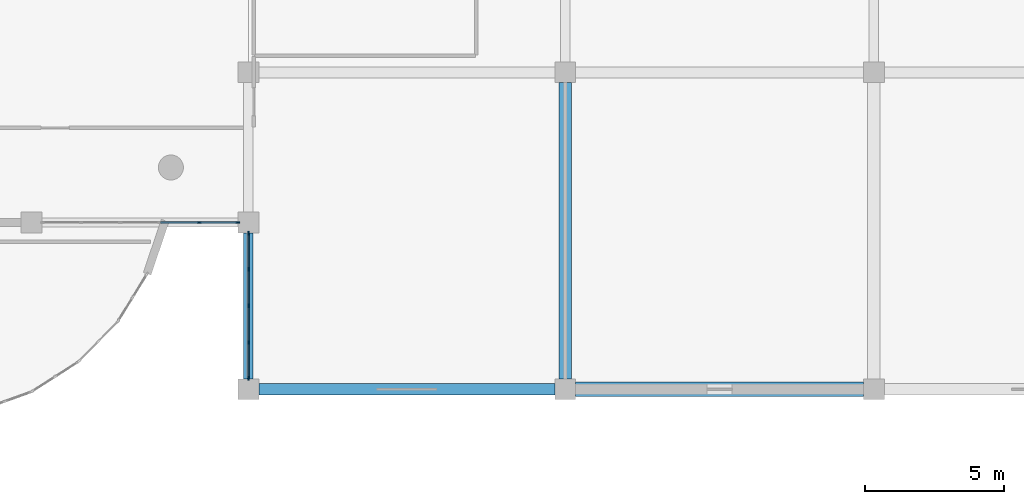
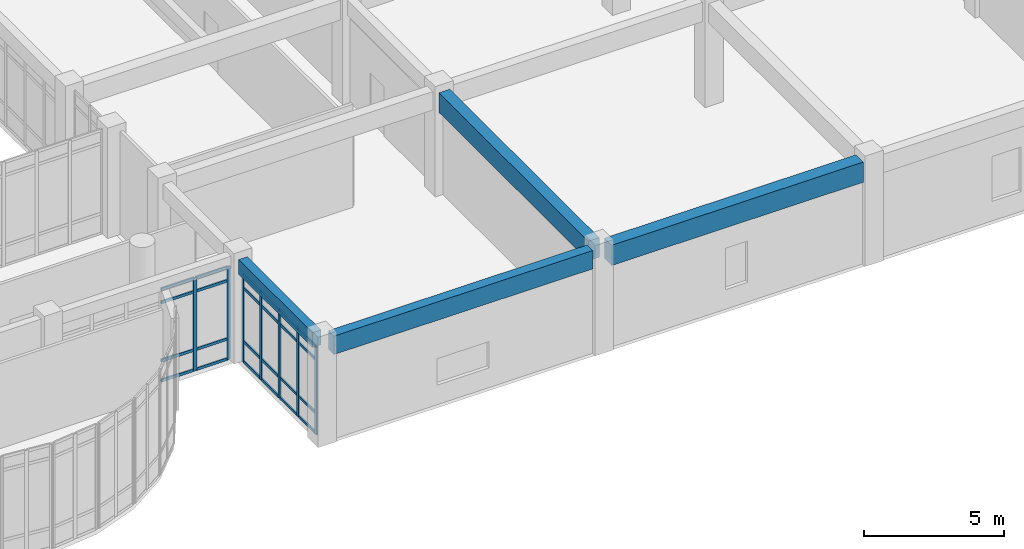
# One storey, part 24 of 68: 31 members, 4 beams, 2 elements without a shape of their own.
"""IFC4 building model written with IfcOpenShell, lengths in metres."""

from ifc_helpers import new_model, si_unit, direction, frame, origin, origin_2d, place, context, subcontext, project, spatial, rectangle, extrude, material, layer, layer_set, material_profile, profile_set, type_object, element, aggregate, save


model = new_model("IFC4")

# Units and contexts
model_context = context("Model", 3, precision=1e-05, world=origin(), true_north=direction((0.0, 1.0)))
body_context = subcontext(model_context, "Body", "Model", "MODEL_VIEW")
ifc_project = project(units=[si_unit("LENGTHUNIT", "METRE"), si_unit("AREAUNIT", "SQUARE_METRE"), si_unit("VOLUMEUNIT", "CUBIC_METRE"), si_unit("PLANEANGLEUNIT", "RADIAN"), si_unit("MASSUNIT", "GRAM", prefix="KILO")], contexts=[model_context])

# Site, building, storey
site_placement = place(None, origin())
site = spatial("IfcSite", under=ifc_project, at=site_placement, CompositionType="ELEMENT")
building_placement = place(site_placement, origin())
building = spatial("IfcBuilding", under=site, at=building_placement, Name="Miralva Faculty of Natural Sciences", CompositionType="ELEMENT")
storey_placement = place(building_placement, frame((0.0, 0.0, 5.39990234375)))
storey = spatial("IfcBuildingStorey", under=building, at=storey_placement, Name="L01", CompositionType="ELEMENT", Elevation=5.39990234375)

# Beams
ifc_material_1 = material(Name="Concrete C40/50", Category="concrete")
ifc_material_profile_1 = material_profile(ifc_material_1, rectangle(XDim=0.449951171875, YDim=0.85009765625, at=origin_2d()), Name="RC 450x850")
ifc_profile_set_1 = profile_set([ifc_material_profile_1], Name="Concrete C40/50")
beam_type_1 = type_object("IfcBeamType", Name="BM-B01", PredefinedType="BEAM", material=ifc_profile_set_1)
beam_1_placement = place(storey_placement, frame((145.199951171875, 12.375, 4.05517578125), z_axis=(0.0, 1.0, 0.0), x_axis=(-1.0, 0.0, 0.0)))
element("IfcBeam", 1, at=beam_1_placement, inside=storey, type_object=beam_type_1, Name="Girder NS L01-167", PredefinedType="BEAM", context=body_context, shape_type="SweptSolid", body=[
    extrude(rectangle(XDim=0.449951171875, YDim=0.85009765625, at=origin_2d()), origin(), (0.0, 0.0, 1.0), 10.64990234375),
])
ifc_material_profile_2 = material_profile(ifc_material_1, rectangle(XDim=0.39990234375, YDim=0.800048828125, at=origin_2d()), Name="RC 400x800")
ifc_profile_set_2 = profile_set([ifc_material_profile_2], Name="Concrete C40/50")
beam_type_2 = type_object("IfcBeamType", Name="BM-B02", PredefinedType="BEAM", material=ifc_profile_set_2)
beam_2_placement = place(storey_placement, frame((134.175048828125, 12.0, 4.080078125), z_axis=(1.0, 0.0, 0.0), x_axis=(0.0, 1.0, 0.0)))
element("IfcBeam", 2, at=beam_2_placement, inside=storey, type_object=beam_type_2, Name="Girder EW L01-16", PredefinedType="BEAM", context=body_context, shape_type="SweptSolid", body=[
    extrude(rectangle(XDim=0.39990234375, YDim=0.800048828125, at=origin_2d()), origin(), (0.0, 0.0, 1.0), 10.64990234375),
])
ifc_material_profile_3 = material_profile(ifc_material_1, rectangle(XDim=0.35009765625, YDim=0.64990234375, at=origin_2d()), Name="RC 350x650")
ifc_profile_set_3 = profile_set([ifc_material_profile_3], Name="Concrete C40/50")
beam_type_3 = type_object("IfcBeamType", Name="BM-B05", PredefinedType="BEAM", material=ifc_profile_set_3)
beam_3_placement = place(storey_placement, frame((133.800048828125, 12.375, 4.155029296875), z_axis=(0.0, 1.0, 0.0), x_axis=(-1.0, 0.0, 0.0)))
element("IfcBeam", 3, at=beam_3_placement, inside=storey, type_object=beam_type_3, Name="Girder NS L01-160", PredefinedType="BEAM", context=body_context, shape_type="SweptSolid", body=[
    extrude(rectangle(XDim=0.35009765625, YDim=0.64990234375, at=origin_2d()), origin(), (0.0, 0.0, 1.0), 5.25),
])
ifc_material_profile_4 = material_profile(ifc_material_1, rectangle(XDim=0.52001953125, YDim=0.8798828125, at=origin_2d()), Name="RC 520x880")
ifc_profile_set_4 = profile_set([ifc_material_profile_4], Name="Concrete C40/50")
beam_type_4 = type_object("IfcBeamType", Name="BM-BG19", PredefinedType="BEAM", material=ifc_profile_set_4)
beam_4_placement = place(storey_placement, frame((145.574951171875, 12.0, 4.0400390625), z_axis=(1.0, 0.0, 0.0), x_axis=(0.0, 1.0, 0.0)))
element("IfcBeam", 4, at=beam_4_placement, inside=storey, type_object=beam_type_4, Name="Girder EW L01-17", PredefinedType="BEAM", context=body_context, shape_type="SweptSolid", body=[
    extrude(rectangle(XDim=0.52001953125, YDim=0.8798828125, at=origin_2d()), origin(), (0.0, 0.0, 1.0), 10.35009765625),
])

# Curtain wall, members
ifc_material_2 = material(Name="Laminated solar-control glass", Category="glass")
ifc_layer = layer(ifc_material_2, 0.179931640625, Name="CW-COM-L01")
ifc_layer_set = layer_set([ifc_layer], Name="Laminated solar-control glass")
curtain_wall_type = type_object("IfcCurtainWallType", Name="CW-COM-L01", PredefinedType="USERDEFINED", material=ifc_layer_set)
curtain_wall_1_placement = place(storey_placement, origin())
curtain_wall_1 = element("IfcCurtainWall", 5, at=curtain_wall_1_placement, inside=storey, type_object=curtain_wall_type, Name="Curtain wall CW-10 L01-261", ObjectType="UNITISED CURTAIN WALL", PredefinedType="USERDEFINED")
ifc_material_3 = material(Name="Anodised aluminium", Category="aluminium")
ifc_material_profile_5 = material_profile(ifc_material_3, rectangle(XDim=0.06005859375, YDim=0.139892578125, at=origin_2d()), Name="MULLION 60x140")
ifc_profile_set_5 = profile_set([ifc_material_profile_5], Name="Anodised aluminium")
member_type_1 = type_object("IfcMemberType", Name="CW-M03", PredefinedType="MULLION", material=ifc_profile_set_5)
member_1_placement = place(storey_placement, frame((133.800048828125, 12.39501953125, 0.0), z_axis=(0.0, 0.0, 1.0), x_axis=(-1.0, 0.0, 0.0)))
member_1 = element("IfcMember", 6, at=member_1_placement, type_object=member_type_1, Name="CW-10 mullion 1", PredefinedType="MULLION", context=body_context, shape_type="SweptSolid", body=[
    extrude(rectangle(XDim=0.06005859375, YDim=0.139892578125, at=origin_2d()), origin(), (0.0, 0.0, 1.0), 3.8251953125),
])
member_2_placement = place(storey_placement, frame((133.800048828125, 13.6826171875, 0.0), z_axis=(0.0, 0.0, 1.0), x_axis=(-1.0, 0.0, 0.0)))
member_2 = element("IfcMember", 7, at=member_2_placement, type_object=member_type_1, Name="CW-10 mullion 2", PredefinedType="MULLION", context=body_context, shape_type="SweptSolid", body=[
    extrude(rectangle(XDim=0.06005859375, YDim=0.139892578125, at=origin_2d()), origin(), (0.0, 0.0, 1.0), 3.8251953125),
])
member_3_placement = place(storey_placement, frame((133.800048828125, 15.0, 0.0), z_axis=(0.0, 0.0, 1.0), x_axis=(-1.0, 0.0, 0.0)))
member_3 = element("IfcMember", 8, at=member_3_placement, type_object=member_type_1, Name="CW-10 mullion 3", PredefinedType="MULLION", context=body_context, shape_type="SweptSolid", body=[
    extrude(rectangle(XDim=0.06005859375, YDim=0.139892578125, at=origin_2d()), origin(), (0.0, 0.0, 1.0), 3.8251953125),
])
member_4_placement = place(storey_placement, frame((133.800048828125, 16.3173828125, 0.0), z_axis=(0.0, 0.0, 1.0), x_axis=(-1.0, 0.0, 0.0)))
member_4 = element("IfcMember", 9, at=member_4_placement, type_object=member_type_1, Name="CW-10 mullion 4", PredefinedType="MULLION", context=body_context, shape_type="SweptSolid", body=[
    extrude(rectangle(XDim=0.06005859375, YDim=0.139892578125, at=origin_2d()), origin(), (0.0, 0.0, 1.0), 3.8251953125),
])
member_5_placement = place(storey_placement, frame((133.800048828125, 17.60498046875, 0.0), z_axis=(0.0, 0.0, 1.0), x_axis=(-1.0, 0.0, 0.0)))
member_5 = element("IfcMember", 10, at=member_5_placement, type_object=member_type_1, Name="CW-10 mullion 5", PredefinedType="MULLION", context=body_context, shape_type="SweptSolid", body=[
    extrude(rectangle(XDim=0.06005859375, YDim=0.139892578125, at=origin_2d()), origin(), (0.0, 0.0, 1.0), 3.8251953125),
])

curtain_wall_2_placement = place(storey_placement, origin())
curtain_wall_2 = element("IfcCurtainWall", 11, at=curtain_wall_2_placement, inside=storey, type_object=curtain_wall_type, Name="Curtain wall CW-10 L01-290", ObjectType="UNITISED CURTAIN WALL", PredefinedType="USERDEFINED")
member_6_placement = place(storey_placement, frame((132.029052734375, 18.0, 0.0), z_axis=(0.0, 0.0, 1.0), x_axis=(0.0, 1.0, 0.0)))
member_6 = element("IfcMember", 12, at=member_6_placement, type_object=member_type_1, Name="CW-10 mullion 5", PredefinedType="MULLION", context=body_context, shape_type="SweptSolid", body=[
    extrude(rectangle(XDim=0.06005859375, YDim=0.139892578125, at=origin_2d()), origin(), (0.0, 0.0, 1.0), 4.03515625),
])
member_7_placement = place(storey_placement, frame((133.4150390625, 18.0, 0.0), z_axis=(0.0, 0.0, 1.0), x_axis=(0.0, 1.0, 0.0)))
member_7 = element("IfcMember", 13, at=member_7_placement, type_object=member_type_1, Name="CW-10 mullion 6", PredefinedType="MULLION", context=body_context, shape_type="SweptSolid", body=[
    extrude(rectangle(XDim=0.06005859375, YDim=0.139892578125, at=origin_2d()), origin(), (0.0, 0.0, 1.0), 4.03515625),
])

# Member
ifc_material_profile_6 = material_profile(ifc_material_3, rectangle(XDim=0.06005859375, YDim=0.1201171875, at=origin_2d()), Name="TRANSOM 60x120")
ifc_profile_set_6 = profile_set([ifc_material_profile_6], Name="Anodised aluminium")
member_type_2 = type_object("IfcMemberType", Name="CW-T02", PredefinedType="USERDEFINED", material=ifc_profile_set_6)
member_8_placement = place(storey_placement, frame((133.800048828125, 12.425048828125, 0.030029296875), z_axis=(0.0, 1.0, 0.0), x_axis=(-1.0, 0.0, 0.0)))
member_8 = element("IfcMember", 14, at=member_8_placement, type_object=member_type_2, Name="CW-10 transom 1.1", ObjectType="TRANSOM", PredefinedType="USERDEFINED", context=body_context, shape_type="SweptSolid", body=[
    extrude(rectangle(XDim=0.06005859375, YDim=0.1201171875, at=origin_2d()), origin(), (0.0, 0.0, 1.0), 1.2275390625),
])

member_9_placement = place(storey_placement, frame((133.800048828125, 12.425048828125, 0.900146484375), z_axis=(0.0, 1.0, 0.0), x_axis=(-1.0, 0.0, 0.0)))
member_9 = element("IfcMember", 15, at=member_9_placement, type_object=member_type_2, Name="CW-10 transom 1.2", ObjectType="TRANSOM", PredefinedType="USERDEFINED", context=body_context, shape_type="SweptSolid", body=[
    extrude(rectangle(XDim=0.06005859375, YDim=0.1201171875, at=origin_2d()), origin(), (0.0, 0.0, 1.0), 1.2275390625),
])

member_10_placement = place(storey_placement, frame((133.800048828125, 12.425048828125, 3.22509765625), z_axis=(0.0, 1.0, 0.0), x_axis=(-1.0, 0.0, 0.0)))
member_10 = element("IfcMember", 16, at=member_10_placement, type_object=member_type_2, Name="CW-10 transom 1.3", ObjectType="TRANSOM", PredefinedType="USERDEFINED", context=body_context, shape_type="SweptSolid", body=[
    extrude(rectangle(XDim=0.06005859375, YDim=0.1201171875, at=origin_2d()), origin(), (0.0, 0.0, 1.0), 1.2275390625),
])

member_11_placement = place(storey_placement, frame((133.800048828125, 12.425048828125, 3.795166015625), z_axis=(0.0, 1.0, 0.0), x_axis=(-1.0, 0.0, 0.0)))
member_11 = element("IfcMember", 17, at=member_11_placement, type_object=member_type_2, Name="CW-10 transom 1.4", ObjectType="TRANSOM", PredefinedType="USERDEFINED", context=body_context, shape_type="SweptSolid", body=[
    extrude(rectangle(XDim=0.06005859375, YDim=0.1201171875, at=origin_2d()), origin(), (0.0, 0.0, 1.0), 1.2275390625),
])

member_12_placement = place(storey_placement, frame((133.800048828125, 13.71240234375, 0.030029296875), z_axis=(0.0, 1.0, 0.0), x_axis=(-1.0, 0.0, 0.0)))
member_12 = element("IfcMember", 18, at=member_12_placement, type_object=member_type_2, Name="CW-10 transom 2.1", ObjectType="TRANSOM", PredefinedType="USERDEFINED", context=body_context, shape_type="SweptSolid", body=[
    extrude(rectangle(XDim=0.06005859375, YDim=0.1201171875, at=origin_2d()), origin(), (0.0, 0.0, 1.0), 1.257568359375),
])

member_13_placement = place(storey_placement, frame((133.800048828125, 13.71240234375, 0.900146484375), z_axis=(0.0, 1.0, 0.0), x_axis=(-1.0, 0.0, 0.0)))
member_13 = element("IfcMember", 19, at=member_13_placement, type_object=member_type_2, Name="CW-10 transom 2.2", ObjectType="TRANSOM", PredefinedType="USERDEFINED", context=body_context, shape_type="SweptSolid", body=[
    extrude(rectangle(XDim=0.06005859375, YDim=0.1201171875, at=origin_2d()), origin(), (0.0, 0.0, 1.0), 1.257568359375),
])

member_14_placement = place(storey_placement, frame((133.800048828125, 13.71240234375, 3.22509765625), z_axis=(0.0, 1.0, 0.0), x_axis=(-1.0, 0.0, 0.0)))
member_14 = element("IfcMember", 20, at=member_14_placement, type_object=member_type_2, Name="CW-10 transom 2.3", ObjectType="TRANSOM", PredefinedType="USERDEFINED", context=body_context, shape_type="SweptSolid", body=[
    extrude(rectangle(XDim=0.06005859375, YDim=0.1201171875, at=origin_2d()), origin(), (0.0, 0.0, 1.0), 1.257568359375),
])

member_15_placement = place(storey_placement, frame((133.800048828125, 13.71240234375, 3.795166015625), z_axis=(0.0, 1.0, 0.0), x_axis=(-1.0, 0.0, 0.0)))
member_15 = element("IfcMember", 21, at=member_15_placement, type_object=member_type_2, Name="CW-10 transom 2.4", ObjectType="TRANSOM", PredefinedType="USERDEFINED", context=body_context, shape_type="SweptSolid", body=[
    extrude(rectangle(XDim=0.06005859375, YDim=0.1201171875, at=origin_2d()), origin(), (0.0, 0.0, 1.0), 1.257568359375),
])

member_16_placement = place(storey_placement, frame((133.800048828125, 15.030029296875, 0.030029296875), z_axis=(0.0, 1.0, 0.0), x_axis=(-1.0, 0.0, 0.0)))
member_16 = element("IfcMember", 22, at=member_16_placement, type_object=member_type_2, Name="CW-10 transom 3.1", ObjectType="TRANSOM", PredefinedType="USERDEFINED", context=body_context, shape_type="SweptSolid", body=[
    extrude(rectangle(XDim=0.06005859375, YDim=0.1201171875, at=origin_2d()), origin(), (0.0, 0.0, 1.0), 1.257568359375),
])

member_17_placement = place(storey_placement, frame((133.800048828125, 15.030029296875, 0.900146484375), z_axis=(0.0, 1.0, 0.0), x_axis=(-1.0, 0.0, 0.0)))
member_17 = element("IfcMember", 23, at=member_17_placement, type_object=member_type_2, Name="CW-10 transom 3.2", ObjectType="TRANSOM", PredefinedType="USERDEFINED", context=body_context, shape_type="SweptSolid", body=[
    extrude(rectangle(XDim=0.06005859375, YDim=0.1201171875, at=origin_2d()), origin(), (0.0, 0.0, 1.0), 1.257568359375),
])

member_18_placement = place(storey_placement, frame((133.800048828125, 15.030029296875, 3.22509765625), z_axis=(0.0, 1.0, 0.0), x_axis=(-1.0, 0.0, 0.0)))
member_18 = element("IfcMember", 24, at=member_18_placement, type_object=member_type_2, Name="CW-10 transom 3.3", ObjectType="TRANSOM", PredefinedType="USERDEFINED", context=body_context, shape_type="SweptSolid", body=[
    extrude(rectangle(XDim=0.06005859375, YDim=0.1201171875, at=origin_2d()), origin(), (0.0, 0.0, 1.0), 1.257568359375),
])

member_19_placement = place(storey_placement, frame((133.800048828125, 15.030029296875, 3.795166015625), z_axis=(0.0, 1.0, 0.0), x_axis=(-1.0, 0.0, 0.0)))
member_19 = element("IfcMember", 25, at=member_19_placement, type_object=member_type_2, Name="CW-10 transom 3.4", ObjectType="TRANSOM", PredefinedType="USERDEFINED", context=body_context, shape_type="SweptSolid", body=[
    extrude(rectangle(XDim=0.06005859375, YDim=0.1201171875, at=origin_2d()), origin(), (0.0, 0.0, 1.0), 1.257568359375),
])

member_20_placement = place(storey_placement, frame((133.800048828125, 16.347412109375, 0.030029296875), z_axis=(0.0, 1.0, 0.0), x_axis=(-1.0, 0.0, 0.0)))
member_20 = element("IfcMember", 26, at=member_20_placement, type_object=member_type_2, Name="CW-10 transom 4.1", ObjectType="TRANSOM", PredefinedType="USERDEFINED", context=body_context, shape_type="SweptSolid", body=[
    extrude(rectangle(XDim=0.06005859375, YDim=0.1201171875, at=origin_2d()), origin(), (0.0, 0.0, 1.0), 1.2275390625),
])

member_21_placement = place(storey_placement, frame((133.800048828125, 16.347412109375, 0.900146484375), z_axis=(0.0, 1.0, 0.0), x_axis=(-1.0, 0.0, 0.0)))
member_21 = element("IfcMember", 27, at=member_21_placement, type_object=member_type_2, Name="CW-10 transom 4.2", ObjectType="TRANSOM", PredefinedType="USERDEFINED", context=body_context, shape_type="SweptSolid", body=[
    extrude(rectangle(XDim=0.06005859375, YDim=0.1201171875, at=origin_2d()), origin(), (0.0, 0.0, 1.0), 1.2275390625),
])

member_22_placement = place(storey_placement, frame((133.800048828125, 16.347412109375, 3.22509765625), z_axis=(0.0, 1.0, 0.0), x_axis=(-1.0, 0.0, 0.0)))
member_22 = element("IfcMember", 28, at=member_22_placement, type_object=member_type_2, Name="CW-10 transom 4.3", ObjectType="TRANSOM", PredefinedType="USERDEFINED", context=body_context, shape_type="SweptSolid", body=[
    extrude(rectangle(XDim=0.06005859375, YDim=0.1201171875, at=origin_2d()), origin(), (0.0, 0.0, 1.0), 1.2275390625),
])

member_23_placement = place(storey_placement, frame((133.800048828125, 16.347412109375, 3.795166015625), z_axis=(0.0, 1.0, 0.0), x_axis=(-1.0, 0.0, 0.0)))
member_23 = element("IfcMember", 29, at=member_23_placement, type_object=member_type_2, Name="CW-10 transom 4.4", ObjectType="TRANSOM", PredefinedType="USERDEFINED", context=body_context, shape_type="SweptSolid", body=[
    extrude(rectangle(XDim=0.06005859375, YDim=0.1201171875, at=origin_2d()), origin(), (0.0, 0.0, 1.0), 1.2275390625),
])

aggregate(curtain_wall_1, [member_1, member_2, member_3, member_4, member_5, member_8, member_9, member_10, member_11, member_12, member_13, member_14, member_15, member_16, member_17, member_18, member_19, member_20, member_21, member_22, member_23])

member_24_placement = place(storey_placement, frame((130.64306640625, 18.0, 0.030029296875), z_axis=(1.0, 0.0, 0.0), x_axis=(0.0, 1.0, 0.0)))
member_24 = element("IfcMember", 30, at=member_24_placement, type_object=member_type_2, Name="CW-10 transom 4.1", ObjectType="TRANSOM", PredefinedType="USERDEFINED", context=body_context, shape_type="SweptSolid", body=[
    extrude(rectangle(XDim=0.06005859375, YDim=0.1201171875, at=origin_2d()), origin(), (0.0, 0.0, 1.0), 1.35595703125),
])

member_25_placement = place(storey_placement, frame((130.64306640625, 18.0, 0.900146484375), z_axis=(1.0, 0.0, 0.0), x_axis=(0.0, 1.0, 0.0)))
member_25 = element("IfcMember", 31, at=member_25_placement, type_object=member_type_2, Name="CW-10 transom 4.2", ObjectType="TRANSOM", PredefinedType="USERDEFINED", context=body_context, shape_type="SweptSolid", body=[
    extrude(rectangle(XDim=0.06005859375, YDim=0.1201171875, at=origin_2d()), origin(), (0.0, 0.0, 1.0), 1.35595703125),
])

member_26_placement = place(storey_placement, frame((130.64306640625, 18.0, 3.43505859375), z_axis=(1.0, 0.0, 0.0), x_axis=(0.0, 1.0, 0.0)))
member_26 = element("IfcMember", 32, at=member_26_placement, type_object=member_type_2, Name="CW-10 transom 4.3", ObjectType="TRANSOM", PredefinedType="USERDEFINED", context=body_context, shape_type="SweptSolid", body=[
    extrude(rectangle(XDim=0.06005859375, YDim=0.1201171875, at=origin_2d()), origin(), (0.0, 0.0, 1.0), 1.35595703125),
])

member_27_placement = place(storey_placement, frame((130.64306640625, 18.0, 4.005126953125), z_axis=(1.0, 0.0, 0.0), x_axis=(0.0, 1.0, 0.0)))
member_27 = element("IfcMember", 33, at=member_27_placement, type_object=member_type_2, Name="CW-10 transom 4.4", ObjectType="TRANSOM", PredefinedType="USERDEFINED", context=body_context, shape_type="SweptSolid", body=[
    extrude(rectangle(XDim=0.06005859375, YDim=0.1201171875, at=origin_2d()), origin(), (0.0, 0.0, 1.0), 1.35595703125),
])

member_28_placement = place(storey_placement, frame((132.05908203125, 18.0, 0.030029296875), z_axis=(1.0, 0.0, 0.0), x_axis=(0.0, 1.0, 0.0)))
member_28 = element("IfcMember", 34, at=member_28_placement, type_object=member_type_2, Name="CW-10 transom 5.1", ObjectType="TRANSOM", PredefinedType="USERDEFINED", context=body_context, shape_type="SweptSolid", body=[
    extrude(rectangle(XDim=0.06005859375, YDim=0.1201171875, at=origin_2d()), origin(), (0.0, 0.0, 1.0), 1.325927734375),
])

member_29_placement = place(storey_placement, frame((132.05908203125, 18.0, 0.900146484375), z_axis=(1.0, 0.0, 0.0), x_axis=(0.0, 1.0, 0.0)))
member_29 = element("IfcMember", 35, at=member_29_placement, type_object=member_type_2, Name="CW-10 transom 5.2", ObjectType="TRANSOM", PredefinedType="USERDEFINED", context=body_context, shape_type="SweptSolid", body=[
    extrude(rectangle(XDim=0.06005859375, YDim=0.1201171875, at=origin_2d()), origin(), (0.0, 0.0, 1.0), 1.325927734375),
])

member_30_placement = place(storey_placement, frame((132.05908203125, 18.0, 3.43505859375), z_axis=(1.0, 0.0, 0.0), x_axis=(0.0, 1.0, 0.0)))
member_30 = element("IfcMember", 36, at=member_30_placement, type_object=member_type_2, Name="CW-10 transom 5.3", ObjectType="TRANSOM", PredefinedType="USERDEFINED", context=body_context, shape_type="SweptSolid", body=[
    extrude(rectangle(XDim=0.06005859375, YDim=0.1201171875, at=origin_2d()), origin(), (0.0, 0.0, 1.0), 1.325927734375),
])

member_31_placement = place(storey_placement, frame((132.05908203125, 18.0, 4.005126953125), z_axis=(1.0, 0.0, 0.0), x_axis=(0.0, 1.0, 0.0)))
member_31 = element("IfcMember", 37, at=member_31_placement, type_object=member_type_2, Name="CW-10 transom 5.4", ObjectType="TRANSOM", PredefinedType="USERDEFINED", context=body_context, shape_type="SweptSolid", body=[
    extrude(rectangle(XDim=0.06005859375, YDim=0.1201171875, at=origin_2d()), origin(), (0.0, 0.0, 1.0), 1.325927734375),
])

aggregate(curtain_wall_2, [member_6, member_7, member_24, member_25, member_26, member_27, member_28, member_29, member_30, member_31])

save(model, "model.ifc")
